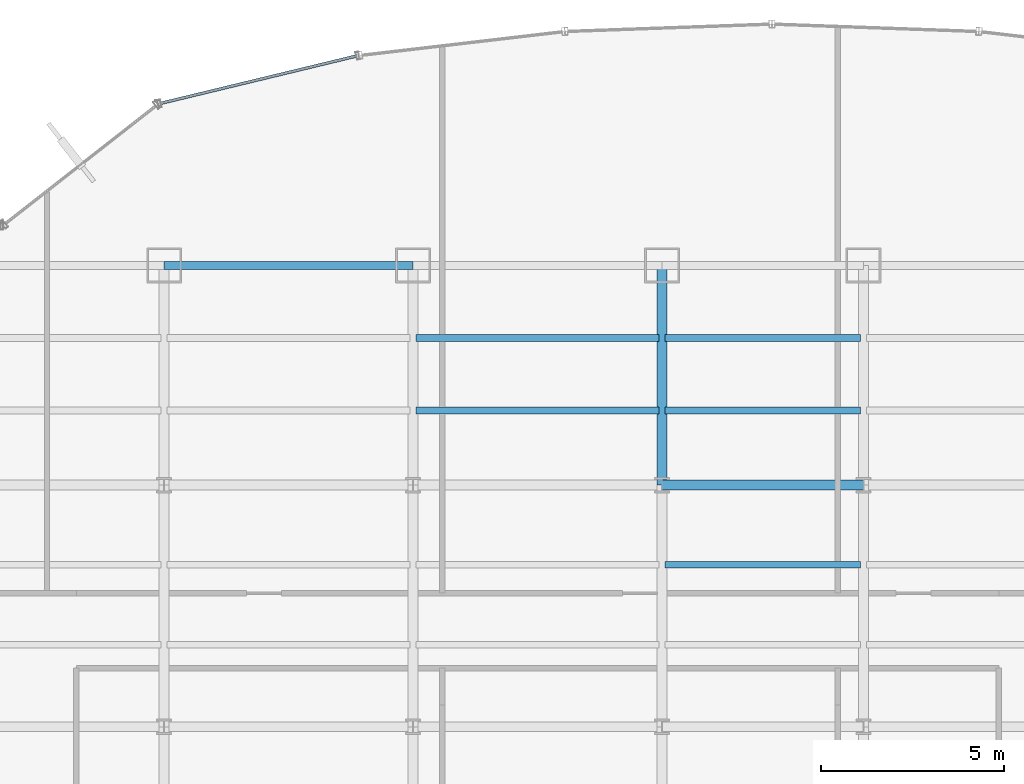
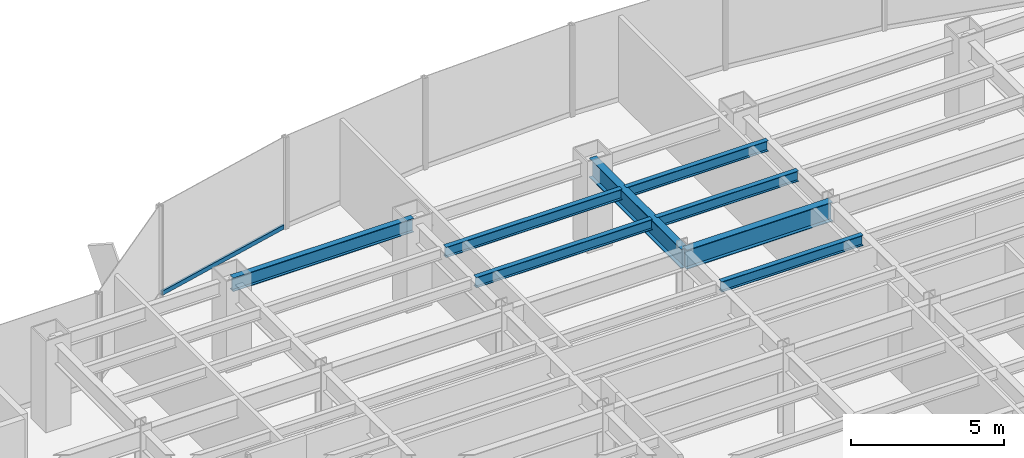
# One storey, part 12 of 23: 8 beams, 1 member, 1 element without a shape of its own.
"""IFC4 building model written with IfcOpenShell, lengths in metres."""

from ifc_helpers import new_model, si_unit, derived_unit, direction, frame, origin, origin_2d, place, context, subcontext, project, spatial, hollow_rectangle, i_section, extrude, source, transform, mapped, material, material_profile, profile_set, type_object, element, aggregate, save


model = new_model("IFC4")

# Units and contexts
model_context = context("Model", 3, precision=1e-05, world=origin(), true_north=direction((0.0, 1.0)))
body_context = subcontext(model_context, "Body", "Model", "MODEL_VIEW")
ifc_project = project(units=[si_unit("LENGTHUNIT", "METRE"), si_unit("AREAUNIT", "SQUARE_METRE"), si_unit("VOLUMEUNIT", "CUBIC_METRE"), si_unit("PLANEANGLEUNIT", "RADIAN"), si_unit("MASSUNIT", "GRAM", prefix="KILO"), derived_unit("THERMALTRANSMITTANCEUNIT", [(si_unit("POWERUNIT", "WATT"), 1), (si_unit("LENGTHUNIT", "METRE"), -2), (si_unit("THERMODYNAMICTEMPERATUREUNIT", "KELVIN"), -1)])], contexts=[model_context])

# Site, building, storey
site_placement = place(None, origin())
site = spatial("IfcSite", under=ifc_project, at=site_placement, CompositionType="ELEMENT")
building_placement = place(site_placement, origin())
building = spatial("IfcBuilding", under=site, at=building_placement, Name="Skarnbrae Concourse Arena and Tower", CompositionType="ELEMENT")
storey_placement = place(building_placement, frame((0.0, 0.0, 54.39990234375)))
storey = spatial("IfcBuildingStorey", under=building, at=storey_placement, Name="L12", CompositionType="ELEMENT", Elevation=54.39990234375)

# Beams
ifc_material_1 = material(Name="Steel CSA G40.21 350W", Category="steel")
ifc_material_profile_1 = material_profile(ifc_material_1, i_section(OverallWidth=0.26806640625, OverallDepth=0.77001953125, WebThickness=0.015625, FlangeThickness=0.025390625, at=origin_2d()), Name="W760X196")
ifc_profile_set_1 = profile_set([ifc_material_profile_1], Name="Steel CSA G40.21 350W")
beam_type_1 = type_object("IfcBeamType", Name="BM-GIRD-W760X196", PredefinedType="BEAM", material=ifc_profile_set_1)
shared_shape_1 = source(origin(), body_context, "Body", "SweptSolid", [
    extrude(i_section(OverallWidth=0.26806640625, OverallDepth=0.77001953125, WebThickness=0.015625, FlangeThickness=0.025390625, at=origin_2d()), origin(), (0.0, 0.0, 1.0), 5.5),
])
beam_1_placement = place(storey_placement, frame((28.0, 34.39990234375, 3.01513671875), z_axis=(1.0, 0.0, 0.0), x_axis=(0.0, 1.0, 0.0)))
element("IfcBeam", 1, at=beam_1_placement, inside=storey, type_object=beam_type_1, Name="L12 Primary E-W girder Y34.4-5", PredefinedType="BEAM", context=body_context, shape_type="MappedRepresentation", body=[
    mapped(shared_shape_1, transform((0.0, 0.0, 0.0))),
])
shared_shape_2 = source(origin(), body_context, "Body", "SweptSolid", [
    extrude(i_section(OverallWidth=0.26806640625, OverallDepth=0.77001953125, WebThickness=0.015625, FlangeThickness=0.025390625, at=origin_2d()), origin(), (0.0, 0.0, 1.0), 6.0),
])
beam_2_placement = place(storey_placement, frame((28.0, 34.39990234375, 3.01513671875), z_axis=(0.0, 1.0, 0.0), x_axis=(-1.0, 0.0, 0.0)))
element("IfcBeam", 2, at=beam_2_placement, inside=storey, type_object=beam_type_1, Name="L12 Primary N-S girder X28.0-4", PredefinedType="BEAM", context=body_context, shape_type="MappedRepresentation", body=[
    mapped(shared_shape_2, transform((0.0, 0.0, 0.0))),
])
ifc_material_profile_2 = material_profile(ifc_material_1, i_section(OverallWidth=0.214111328125, OverallDepth=0.549072265625, WebThickness=0.0146484375, FlangeThickness=0.023681640625, at=origin_2d()), Name="W530X138")
ifc_profile_set_2 = profile_set([ifc_material_profile_2], Name="Steel CSA G40.21 350W")
beam_type_2 = type_object("IfcBeamType", Name="BM-SPAN-W530X138", PredefinedType="SPANDREL", material=ifc_profile_set_2)
shared_shape_3 = source(origin(), body_context, "Body", "SweptSolid", [
    extrude(i_section(OverallWidth=0.214111328125, OverallDepth=0.549072265625, WebThickness=0.0146484375, FlangeThickness=0.023681640625, at=origin_2d()), origin(), (0.0, 0.0, 1.0), 6.800048828125),
])
beam_3_placement = place(storey_placement, frame((14.39990234375, 40.39990234375, 3.12548828125), z_axis=(1.0, 0.0, 0.0), x_axis=(0.0, 1.0, 0.0)))
element("IfcBeam", 3, at=beam_3_placement, inside=storey, type_object=beam_type_2, Name="L12 Perimeter spandrel Y40.4-2", PredefinedType="SPANDREL", context=body_context, shape_type="MappedRepresentation", body=[
    mapped(shared_shape_3, transform((0.0, 0.0, 0.0))),
])
ifc_material_profile_3 = material_profile(ifc_material_1, i_section(OverallWidth=0.180908203125, OverallDepth=0.4169921875, WebThickness=0.010986328125, FlangeThickness=0.018310546875, at=origin_2d()), Name="W410X85")
ifc_profile_set_3 = profile_set([ifc_material_profile_3], Name="Steel CSA G40.21 350W")
beam_type_3 = type_object("IfcBeamType", Name="BM-JOIST-W410X85", PredefinedType="JOIST", material=ifc_profile_set_3)
shared_shape_4 = source(origin(), body_context, "Body", "SweptSolid", [
    extrude(i_section(OverallWidth=0.180908203125, OverallDepth=0.4169921875, WebThickness=0.010986328125, FlangeThickness=0.018310546875, at=origin_2d()), origin(), (0.0, 0.0, 1.0), 6.639892578125),
])
for number, where, z_axis, x_axis, name in (
    (4, (21.280029296875, 36.43994140625, 3.191650390625), (1.0, 0.0, 0.0), (0.0, 1.0, 0.0), "L12 Secondary floor joist 4.1.3"),
    (5, (21.280029296875, 38.419921875, 3.191650390625), (1.0, 0.0, 0.0), (0.0, 1.0, 0.0), "L12 Secondary floor joist 4.2.3"),
):
    element("IfcBeam", number, at=place(storey_placement, frame(where, z_axis=z_axis, x_axis=x_axis)), inside=storey, type_object=beam_type_3, Name=name, PredefinedType="JOIST", context=body_context, shape_type="MappedRepresentation", body=[
        mapped(shared_shape_4, transform((0.0, 0.0, 0.0))),
    ])
shared_shape_5 = source(origin(), body_context, "Body", "SweptSolid", [
    extrude(i_section(OverallWidth=0.180908203125, OverallDepth=0.4169921875, WebThickness=0.010986328125, FlangeThickness=0.018310546875, at=origin_2d()), origin(), (0.0, 0.0, 1.0), 5.33984375),
])
for number, where, z_axis, x_axis, name in (
    (6, (28.080078125, 32.221923828125, 3.191650390625), (1.0, 0.0, 0.0), (0.0, 1.0, 0.0), "L12 Secondary floor joist 3.2.5"),
    (7, (28.080078125, 36.43994140625, 3.191650390625), (1.0, 0.0, 0.0), (0.0, 1.0, 0.0), "L12 Secondary floor joist 4.1.4"),
    (8, (28.080078125, 38.419921875, 3.191650390625), (1.0, 0.0, 0.0), (0.0, 1.0, 0.0), "L12 Secondary floor joist 4.2.4"),
):
    element("IfcBeam", number, at=place(storey_placement, frame(where, z_axis=z_axis, x_axis=x_axis)), inside=storey, type_object=beam_type_3, Name=name, PredefinedType="JOIST", context=body_context, shape_type="MappedRepresentation", body=[
        mapped(shared_shape_5, transform((0.0, 0.0, 0.0))),
    ])

# Curtain wall, member
ifc_material_2 = material(Name="Bronze anodised aluminium 6063-T6", Category="aluminium")
curtain_wall_type = type_object("IfcCurtainWallType", Name="CW-SYS-03-PORTAL", PredefinedType="USERDEFINED", material=ifc_material_2)
curtain_wall_placement = place(storey_placement, origin())
curtain_wall = element("IfcCurtainWall", 9, at=curtain_wall_placement, inside=storey, type_object=curtain_wall_type, Name="L12 Unitised curtain wall CW-L12-E14", ObjectType="UNITISED CURTAIN WALL", PredefinedType="USERDEFINED")
ifc_material_profile_4 = material_profile(ifc_material_2, hollow_rectangle(XDim=0.080078125, YDim=0.169921875, WallThickness=0.00439453125, at=origin_2d()), Name="ALU-TRAN-80X170")
ifc_profile_set_4 = profile_set([ifc_material_profile_4], Name="Bronze anodised aluminium 6063-T6")
member_type = type_object("IfcMemberType", Name="CWT-CW-03", PredefinedType="USERDEFINED", material=ifc_profile_set_4)
shared_shape_6 = source(origin(), body_context, "Body", "SweptSolid", [
    extrude(hollow_rectangle(XDim=0.080078125, YDim=0.169921875, WallThickness=0.00439453125, at=origin_2d()), origin(), (0.0, 0.0, 1.0), 5.4921875),
])
member_placement = place(storey_placement, frame((19.64990234375, 46.12158203125, 0.085205078125), z_axis=(-0.971980728004, -0.235060554728, 0.0), x_axis=(0.235060554728, -0.971980728004, 0.0)))
member = element("IfcMember", 10, at=member_placement, type_object=member_type, Name="CW-L12-E14 Transom 1", ObjectType="TRANSOM", PredefinedType="USERDEFINED", context=body_context, shape_type="MappedRepresentation", body=[
    mapped(shared_shape_6, transform((0.0, 0.0, 0.0))),
])
aggregate(curtain_wall, [member])

save(model, "model.ifc")
